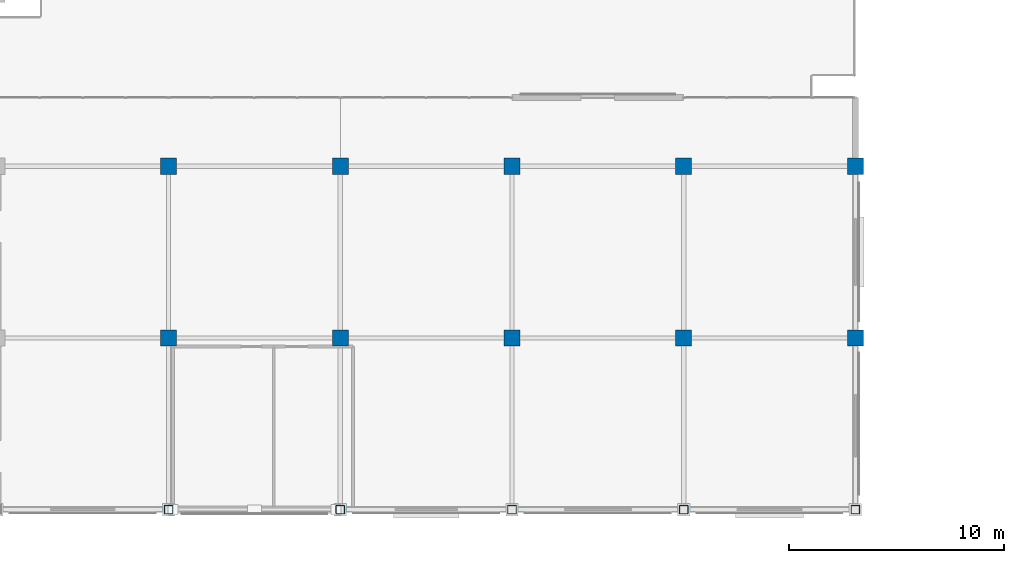
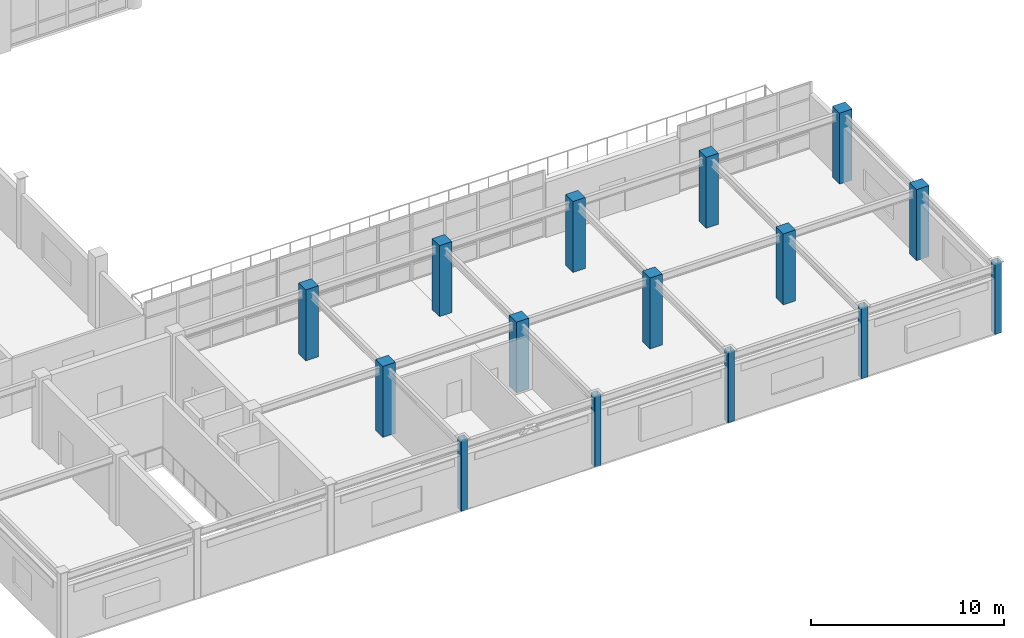
# One storey, part 3 of 42: 15 columns.
"""IFC4 building model written with IfcOpenShell, lengths in metres."""

from ifc_helpers import new_model, si_unit, direction, frame, origin, origin_2d, place, context, subcontext, project, spatial, rectangle, hollow_rectangle, extrude, material, material_profile, profile_set, type_object, element, save


model = new_model("IFC4")

# Units and contexts
model_context = context("Model", 3, precision=1e-05, world=origin(), true_north=direction((0.0, 1.0)))
body_context = subcontext(model_context, "Body", "Model", "MODEL_VIEW")
ifc_project = project(units=[si_unit("LENGTHUNIT", "METRE"), si_unit("AREAUNIT", "SQUARE_METRE"), si_unit("VOLUMEUNIT", "CUBIC_METRE"), si_unit("PLANEANGLEUNIT", "RADIAN"), si_unit("MASSUNIT", "GRAM", prefix="KILO")], contexts=[model_context])

# Site, building, storey
site_placement = place(None, origin())
site = spatial("IfcSite", under=ifc_project, at=site_placement, CompositionType="ELEMENT")
building_placement = place(site_placement, origin())
building = spatial("IfcBuilding", under=site, at=building_placement, Name="Solmirada Galleria", CompositionType="ELEMENT")
storey_placement = place(building_placement, frame((0.0, 0.0, 28.39990234375)))
storey = spatial("IfcBuildingStorey", under=building, at=storey_placement, Name="L06", CompositionType="ELEMENT", Elevation=28.39990234375)

# Columns
ifc_material_1 = material(Name="Steel S355 / ASTM A500 Grade C", Category="steel")
ifc_material_profile_1 = material_profile(ifc_material_1, hollow_rectangle(XDim=0.406005859375, YDim=0.406005859375, WallThickness=0.0146484375, InnerFilletRadius=0.0146484375, OuterFilletRadius=0.029296875, at=origin_2d()), Name="HSS16X16X5/8")
ifc_profile_set_1 = profile_set([ifc_material_profile_1], Name="Steel S355 / ASTM A500 Grade C")
column_type_1 = type_object("IfcColumnType", Name="COL-HSS16", PredefinedType="COLUMN", material=ifc_profile_set_1)
for number, where, z_axis, x_axis, name in (
    (1, (104.0, 0.0, 0.0), (0.0, 0.0, 1.0), (1.0, 0.0, 0.0), "Structural column L06-0699"),
    (2, (112.0, 0.0, 0.0), (0.0, 0.0, 1.0), (1.0, 0.0, 0.0), "Structural column L06-0810"),
    (3, (120.0, 0.0, 0.0), (0.0, 0.0, 1.0), (1.0, 0.0, 0.0), "Structural column L06-0927"),
    (4, (128.0, 0.0, 0.0), (0.0, 0.0, 1.0), (1.0, 0.0, 0.0), "Structural column L06-1010"),
    (5, (136.0, 0.0, 0.0), (0.0, 0.0, 1.0), (1.0, 0.0, 0.0), "Structural column L06-1111"),
):
    element("IfcColumn", number, at=place(storey_placement, frame(where, z_axis=z_axis, x_axis=x_axis)), inside=storey, type_object=column_type_1, Name=name, PredefinedType="COLUMN", context=body_context, shape_type="SweptSolid", body=[
        extrude(hollow_rectangle(XDim=0.406005859375, YDim=0.406005859375, WallThickness=0.0146484375, InnerFilletRadius=0.0146484375, OuterFilletRadius=0.029296875, at=origin_2d()), origin(), (0.0, 0.0, 1.0), 4.5),
    ])
ifc_material_2 = material(Name="Concrete C40/50", Category="concrete")
ifc_material_profile_2 = material_profile(ifc_material_2, rectangle(XDim=0.75, YDim=0.75, at=origin_2d()), Name="RC750X750")
ifc_profile_set_2 = profile_set([ifc_material_profile_2], Name="Concrete C40/50")
column_type_2 = type_object("IfcColumnType", Name="COL-RC750", PredefinedType="COLUMN", material=ifc_profile_set_2)
for number, where, z_axis, x_axis, name in (
    (6, (104.0, 8.0, 0.0), (0.0, 0.0, 1.0), (1.0, 0.0, 0.0), "Structural column L06-0707"),
    (7, (104.0, 16.0, 0.0), (0.0, 0.0, 1.0), (1.0, 0.0, 0.0), "Structural column L06-0715"),
    (8, (112.0, 8.0, 0.0), (0.0, 0.0, 1.0), (1.0, 0.0, 0.0), "Structural column L06-0818"),
    (9, (112.0, 16.0, 0.0), (0.0, 0.0, 1.0), (1.0, 0.0, 0.0), "Structural column L06-0826"),
    (10, (120.0, 8.0, 0.0), (0.0, 0.0, 1.0), (1.0, 0.0, 0.0), "Structural column L06-0935"),
    (11, (120.0, 16.0, 0.0), (0.0, 0.0, 1.0), (1.0, 0.0, 0.0), "Structural column L06-0943"),
    (12, (128.0, 8.0, 0.0), (0.0, 0.0, 1.0), (1.0, 0.0, 0.0), "Structural column L06-1018"),
    (13, (128.0, 16.0, 0.0), (0.0, 0.0, 1.0), (1.0, 0.0, 0.0), "Structural column L06-1026"),
    (14, (136.0, 8.0, 0.0), (0.0, 0.0, 1.0), (1.0, 0.0, 0.0), "Structural column L06-1119"),
    (15, (136.0, 16.0, 0.0), (0.0, 0.0, 1.0), (1.0, 0.0, 0.0), "Structural column L06-1127"),
):
    element("IfcColumn", number, at=place(storey_placement, frame(where, z_axis=z_axis, x_axis=x_axis)), inside=storey, type_object=column_type_2, Name=name, PredefinedType="COLUMN", context=body_context, shape_type="SweptSolid", body=[
        extrude(rectangle(XDim=0.75, YDim=0.75, at=origin_2d()), origin(), (0.0, 0.0, 1.0), 4.5),
    ])

save(model, "model.ifc")
